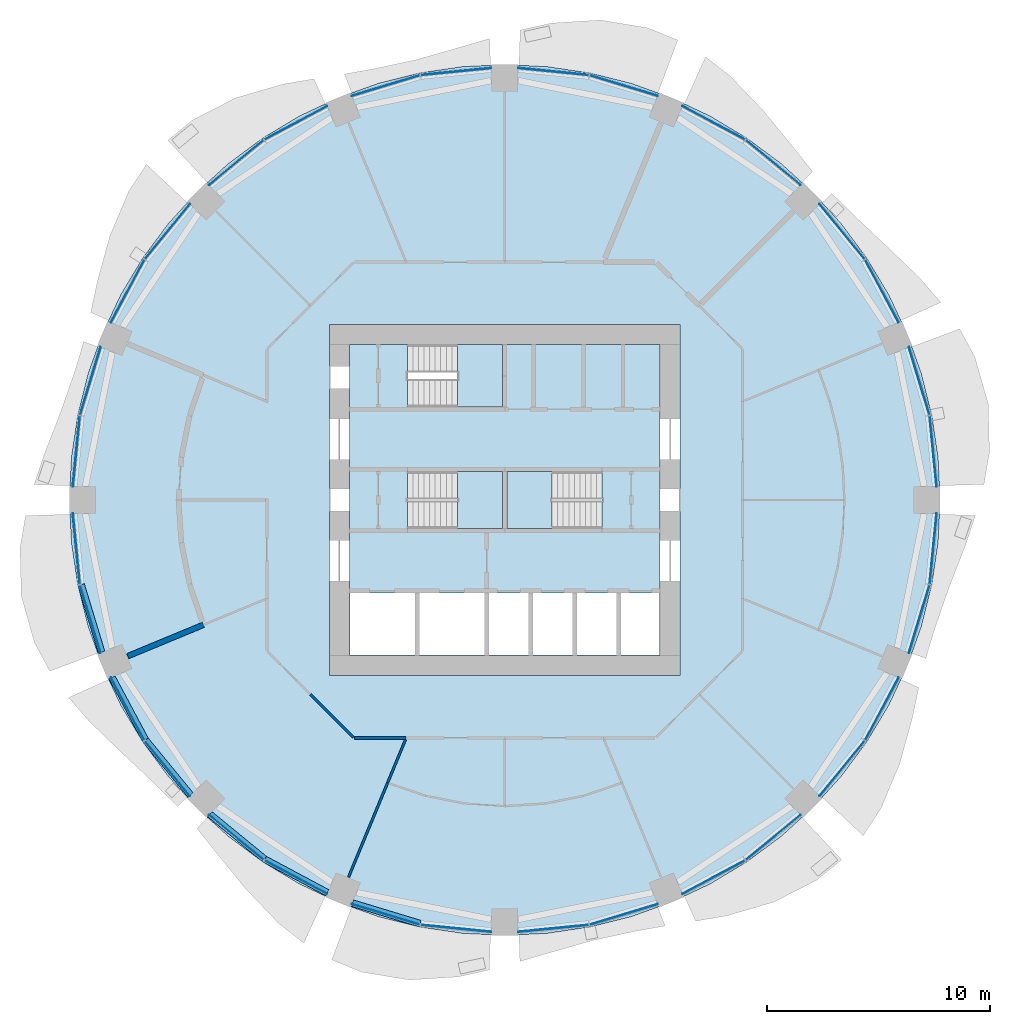
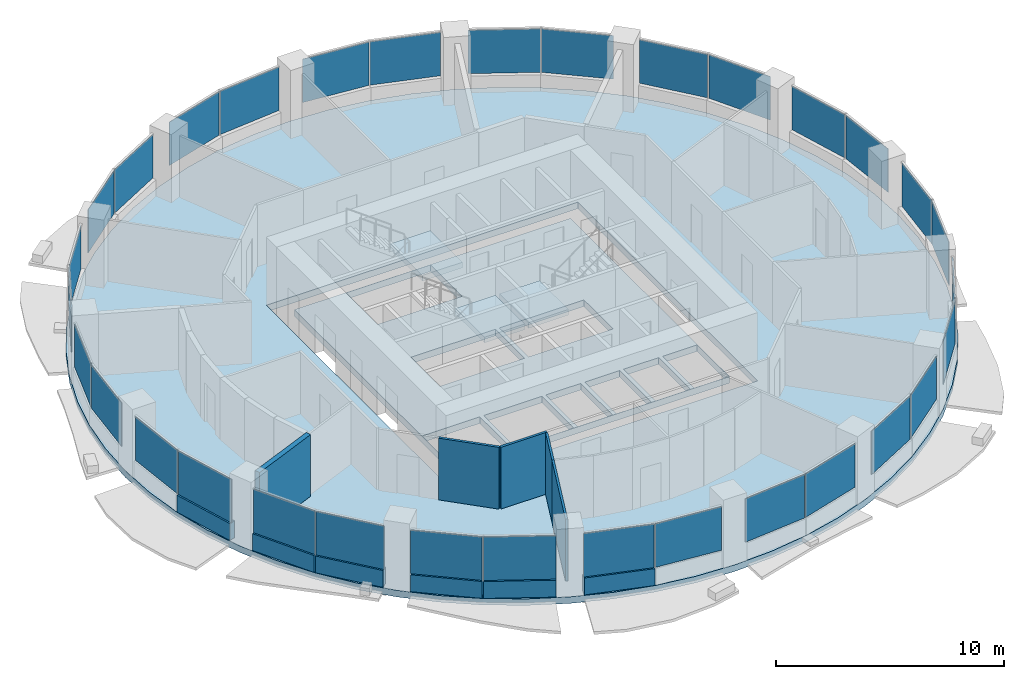
# One storey, part 7 of 15: 32 plates, 11 walls, 5 slabs, 19 elements without a shape of their own.
"""IFC4 building model written with IfcOpenShell, lengths in metres."""

from ifc_helpers import new_model, si_unit, direction, frame, frame_2d, origin, origin_2d, place, context, subcontext, project, spatial, polyline, rectangle, outline, extrude, material, layer, layer_set, type_object, element, aggregate, save


model = new_model("IFC4")

# Units and contexts
model_context = context("Model", 3, precision=1e-05, world=origin(), true_north=direction((0.0, 1.0)))
body_context = subcontext(model_context, "Body", "Model", "MODEL_VIEW")
ifc_project = project(units=[si_unit("LENGTHUNIT", "METRE"), si_unit("AREAUNIT", "SQUARE_METRE"), si_unit("VOLUMEUNIT", "CUBIC_METRE"), si_unit("PLANEANGLEUNIT", "RADIAN"), si_unit("MASSUNIT", "GRAM", prefix="KILO")], contexts=[model_context])

# Site, building, storey
site_placement = place(None, origin())
site = spatial("IfcSite", under=ifc_project, at=site_placement, CompositionType="ELEMENT")
building_placement = place(site_placement, origin())
building = spatial("IfcBuilding", under=site, at=building_placement, Name="Polderwave Tower", CompositionType="ELEMENT")
storey_placement = place(building_placement, frame((0.0, 0.0, 59.050048828125)))
storey = spatial("IfcBuildingStorey", under=building, at=storey_placement, Name="L15", CompositionType="ELEMENT", Elevation=59.050048828125)

# Slab
ifc_material_1 = material(Name="Concrete C40/50", Category="concrete")
ifc_layer_1 = layer(ifc_material_1, 0.35009765625)
ifc_layer_set_1 = layer_set([ifc_layer_1], Name="Core floor slab 350")
slab_type_1 = type_object("IfcSlabType", Name="Core floor slab 350", PredefinedType="FLOOR", material=ifc_layer_set_1)
slab_1_placement = place(storey_placement, frame((0.0, 0.0, -0.35009765625)))
element("IfcSlab", 1, at=slab_1_placement, inside=storey, type_object=slab_type_1, Name="L15 core floor", PredefinedType="FLOOR", context=body_context, shape_type="SweptSolid", body=[
    extrude(outline(polyline([(-6.97412109375, -6.97412109375), (6.97412109375, -6.97412109375), (6.97412109375, 6.97412109375), (-6.97412109375, 6.97412109375), (-6.97412109375, -6.97412109375)]), holes=[polyline([(-6.9541015625, -6.9541015625), (-4.037109375, -6.9541015625), (-4.037109375, -4.174072265625), (-6.9541015625, -4.174072265625), (-6.9541015625, -6.9541015625)]), polyline([(-3.8369140625, -6.9541015625), (-0.89990234375, -6.9541015625), (-0.89990234375, -4.174072265625), (-3.8369140625, -4.174072265625), (-3.8369140625, -6.9541015625)]), polyline([(-0.699951171875, -6.9541015625), (1.068603515625, -6.9541015625), (1.068603515625, -4.174072265625), (-0.699951171875, -4.174072265625), (-0.699951171875, -6.9541015625)]), polyline([(1.2685546875, -6.9541015625), (3.037109375, -6.9541015625), (3.037109375, -4.174072265625), (1.2685546875, -4.174072265625), (1.2685546875, -6.9541015625)]), polyline([(3.237060546875, -6.9541015625), (5.005615234375, -6.9541015625), (5.005615234375, -4.174072265625), (3.237060546875, -4.174072265625), (3.237060546875, -6.9541015625)]), polyline([(5.20556640625, -6.9541015625), (6.9541015625, -6.9541015625), (6.9541015625, -4.174072265625), (5.20556640625, -4.174072265625), (5.20556640625, -6.9541015625)]), polyline([(-4.37353515625, -1.2744140625), (-0.1005859375, -1.2744140625), (-0.1005859375, 1.2744140625), (-4.37353515625, 1.2744140625), (-4.37353515625, -1.2744140625)]), polyline([(0.1005859375, -1.2744140625), (4.37353515625, -1.2744140625), (4.37353515625, 1.2744140625), (0.1005859375, 1.2744140625), (0.1005859375, -1.2744140625)]), polyline([(-4.37353515625, 4.174560546875), (-0.1005859375, 4.174560546875), (-0.1005859375, 6.9541015625), (-4.37353515625, 6.9541015625), (-4.37353515625, 4.174560546875)])]), origin(), (0.0, 0.0, 1.0), 0.35009765625),
])

# Curtain wall, plates
ifc_material_2 = material(Name="Aluminium 6063-T6 and glass", Category="aluminium")
curtain_wall_type = type_object("IfcCurtainWallType", Name="Growing floor ribbon glazing wall", PredefinedType="NOTDEFINED", material=ifc_material_2)
curtain_wall_1_placement = place(storey_placement, origin())
curtain_wall_1 = element("IfcCurtainWall", 2, at=curtain_wall_1_placement, inside=storey, type_object=curtain_wall_type, Name="CW2 L15 00", PredefinedType="NOTDEFINED")
ifc_material_3 = material(Name="Glass, low-e laminated double glazing", Category="glass")
ifc_layer_2 = layer(ifc_material_3, 0.028076171875)
ifc_layer_set_2 = layer_set([ifc_layer_2], Name="Growing floor ribbon glazing glass panel 28 mm")
plate_type = type_object("IfcPlateType", Name="Growing floor ribbon glazing glass panel 28 mm", PredefinedType="CURTAIN_PANEL", material=ifc_layer_set_2)
plate_1_placement = place(storey_placement, frame((19.22509765625, 2.181640625, 0.89990234375), z_axis=(0.0, 0.0, 1.0), x_axis=(-0.098176936167, 0.995168975202, 0.0)))
plate_1 = element("IfcPlate", 3, at=plate_1_placement, type_object=plate_type, Name="CW2 panel 1", PredefinedType="CURTAIN_PANEL", context=body_context, shape_type="SweptSolid", body=[
    extrude(rectangle(XDim=3.178466796875, YDim=0.028076171875, at=origin_2d()), origin(), (0.0, 0.0, 1.0), 2.320068359375),
])
plate_2_placement = place(storey_placement, frame((18.59619140625, 5.341796875, 0.89990234375), z_axis=(0.0, 0.0, 1.0), x_axis=(-0.290293028123, 0.956937802484, 0.0)))
plate_2 = element("IfcPlate", 4, at=plate_2_placement, type_object=plate_type, Name="CW2 panel 2", PredefinedType="CURTAIN_PANEL", context=body_context, shape_type="SweptSolid", body=[
    extrude(rectangle(XDim=3.177001953125, YDim=0.028076171875, at=origin_2d()), origin(), (0.0, 0.0, 1.0), 2.320068359375),
])
aggregate(curtain_wall_1, [plate_1, plate_2])

curtain_wall_2_placement = place(storey_placement, origin())
curtain_wall_2 = element("IfcCurtainWall", 5, at=curtain_wall_2_placement, inside=storey, type_object=curtain_wall_type, Name="CW2 L15 01", PredefinedType="NOTDEFINED")
plate_3_placement = place(storey_placement, frame((16.927001953125, 9.372314453125, 0.89990234375), z_axis=(0.0, 0.0, 1.0), x_axis=(-0.471364412407, 0.881938541349, 0.0)))
plate_3 = element("IfcPlate", 6, at=plate_3_placement, type_object=plate_type, Name="CW2 panel 1", PredefinedType="CURTAIN_PANEL", context=body_context, shape_type="SweptSolid", body=[
    extrude(rectangle(XDim=3.177734375, YDim=0.028076171875, at=origin_2d()), origin(), (0.0, 0.0, 1.0), 2.320068359375),
])
plate_4_placement = place(storey_placement, frame((15.136962890625, 12.051513671875, 0.89990234375), z_axis=(0.0, 0.0, 1.0), x_axis=(-0.634340665542, 0.773053633353, 0.0)))
plate_4 = element("IfcPlate", 7, at=plate_4_placement, type_object=plate_type, Name="CW2 panel 2", PredefinedType="CURTAIN_PANEL", context=body_context, shape_type="SweptSolid", body=[
    extrude(rectangle(XDim=3.177978515625, YDim=0.028076171875, at=origin_2d()), origin(), (0.0, 0.0, 1.0), 2.320068359375),
])
aggregate(curtain_wall_2, [plate_3, plate_4])

curtain_wall_3_placement = place(storey_placement, origin())
curtain_wall_3 = element("IfcCurtainWall", 8, at=curtain_wall_3_placement, inside=storey, type_object=curtain_wall_type, Name="CW2 L15 02", PredefinedType="NOTDEFINED")
plate_5_placement = place(storey_placement, frame((12.051513671875, 15.136962890625, 0.89990234375), z_axis=(0.0, 0.0, 1.0), x_axis=(-0.773053633353, 0.634340665542, 0.0)))
plate_5 = element("IfcPlate", 9, at=plate_5_placement, type_object=plate_type, Name="CW2 panel 1", PredefinedType="CURTAIN_PANEL", context=body_context, shape_type="SweptSolid", body=[
    extrude(rectangle(XDim=3.177978515625, YDim=0.028076171875, at=origin_2d()), origin(), (0.0, 0.0, 1.0), 2.320068359375),
])
plate_6_placement = place(storey_placement, frame((9.372314453125, 16.927001953125, 0.89990234375), z_axis=(0.0, 0.0, 1.0), x_axis=(-0.881938541349, 0.471364412407, 0.0)))
plate_6 = element("IfcPlate", 10, at=plate_6_placement, type_object=plate_type, Name="CW2 panel 2", PredefinedType="CURTAIN_PANEL", context=body_context, shape_type="SweptSolid", body=[
    extrude(rectangle(XDim=3.177734375, YDim=0.028076171875, at=origin_2d()), origin(), (0.0, 0.0, 1.0), 2.320068359375),
])
aggregate(curtain_wall_3, [plate_5, plate_6])

curtain_wall_4_placement = place(storey_placement, origin())
curtain_wall_4 = element("IfcCurtainWall", 11, at=curtain_wall_4_placement, inside=storey, type_object=curtain_wall_type, Name="CW2 L15 03", PredefinedType="NOTDEFINED")
plate_7_placement = place(storey_placement, frame((5.341796875, 18.59619140625, 0.89990234375), z_axis=(0.0, 0.0, 1.0), x_axis=(-0.956937802484, 0.290293028123, 0.0)))
plate_7 = element("IfcPlate", 12, at=plate_7_placement, type_object=plate_type, Name="CW2 panel 1", PredefinedType="CURTAIN_PANEL", context=body_context, shape_type="SweptSolid", body=[
    extrude(rectangle(XDim=3.177001953125, YDim=0.028076171875, at=origin_2d()), origin(), (0.0, 0.0, 1.0), 2.320068359375),
])
plate_8_placement = place(storey_placement, frame((2.181640625, 19.22509765625, 0.89990234375), z_axis=(0.0, 0.0, 1.0), x_axis=(-0.995168975202, 0.098176936167, 0.0)))
plate_8 = element("IfcPlate", 13, at=plate_8_placement, type_object=plate_type, Name="CW2 panel 2", PredefinedType="CURTAIN_PANEL", context=body_context, shape_type="SweptSolid", body=[
    extrude(rectangle(XDim=3.178466796875, YDim=0.028076171875, at=origin_2d()), origin(), (0.0, 0.0, 1.0), 2.320068359375),
])
aggregate(curtain_wall_4, [plate_7, plate_8])

curtain_wall_5_placement = place(storey_placement, origin())
curtain_wall_5 = element("IfcCurtainWall", 14, at=curtain_wall_5_placement, inside=storey, type_object=curtain_wall_type, Name="CW2 L15 04", PredefinedType="NOTDEFINED")
plate_9_placement = place(storey_placement, frame((-2.181640625, 19.22509765625, 0.89990234375), z_axis=(0.0, 0.0, 1.0), x_axis=(-0.995168975202, -0.098176936167, 0.0)))
plate_9 = element("IfcPlate", 15, at=plate_9_placement, type_object=plate_type, Name="CW2 panel 1", PredefinedType="CURTAIN_PANEL", context=body_context, shape_type="SweptSolid", body=[
    extrude(rectangle(XDim=3.178466796875, YDim=0.028076171875, at=origin_2d()), origin(), (0.0, 0.0, 1.0), 2.320068359375),
])
plate_10_placement = place(storey_placement, frame((-5.341796875, 18.59619140625, 0.89990234375), z_axis=(0.0, 0.0, 1.0), x_axis=(-0.956937802484, -0.290293028123, 0.0)))
plate_10 = element("IfcPlate", 16, at=plate_10_placement, type_object=plate_type, Name="CW2 panel 2", PredefinedType="CURTAIN_PANEL", context=body_context, shape_type="SweptSolid", body=[
    extrude(rectangle(XDim=3.177001953125, YDim=0.028076171875, at=origin_2d()), origin(), (0.0, 0.0, 1.0), 2.320068359375),
])
aggregate(curtain_wall_5, [plate_9, plate_10])

curtain_wall_6_placement = place(storey_placement, origin())
curtain_wall_6 = element("IfcCurtainWall", 17, at=curtain_wall_6_placement, inside=storey, type_object=curtain_wall_type, Name="CW2 L15 05", PredefinedType="NOTDEFINED")
plate_11_placement = place(storey_placement, frame((-9.372314453125, 16.927001953125, 0.89990234375), z_axis=(0.0, 0.0, 1.0), x_axis=(-0.881938541349, -0.471364412407, 0.0)))
plate_11 = element("IfcPlate", 18, at=plate_11_placement, type_object=plate_type, Name="CW2 panel 1", PredefinedType="CURTAIN_PANEL", context=body_context, shape_type="SweptSolid", body=[
    extrude(rectangle(XDim=3.177734375, YDim=0.028076171875, at=origin_2d()), origin(), (0.0, 0.0, 1.0), 2.320068359375),
])
plate_12_placement = place(storey_placement, frame((-12.051513671875, 15.136962890625, 0.89990234375), z_axis=(0.0, 0.0, 1.0), x_axis=(-0.773053633353, -0.634340665542, 0.0)))
plate_12 = element("IfcPlate", 19, at=plate_12_placement, type_object=plate_type, Name="CW2 panel 2", PredefinedType="CURTAIN_PANEL", context=body_context, shape_type="SweptSolid", body=[
    extrude(rectangle(XDim=3.177978515625, YDim=0.028076171875, at=origin_2d()), origin(), (0.0, 0.0, 1.0), 2.320068359375),
])
aggregate(curtain_wall_6, [plate_11, plate_12])

curtain_wall_7_placement = place(storey_placement, origin())
curtain_wall_7 = element("IfcCurtainWall", 20, at=curtain_wall_7_placement, inside=storey, type_object=curtain_wall_type, Name="CW2 L15 06", PredefinedType="NOTDEFINED")
plate_13_placement = place(storey_placement, frame((-15.136962890625, 12.051513671875, 0.89990234375), z_axis=(0.0, 0.0, 1.0), x_axis=(-0.634340665542, -0.773053633353, 0.0)))
plate_13 = element("IfcPlate", 21, at=plate_13_placement, type_object=plate_type, Name="CW2 panel 1", PredefinedType="CURTAIN_PANEL", context=body_context, shape_type="SweptSolid", body=[
    extrude(rectangle(XDim=3.177978515625, YDim=0.028076171875, at=origin_2d()), origin(), (0.0, 0.0, 1.0), 2.320068359375),
])
plate_14_placement = place(storey_placement, frame((-16.927001953125, 9.372314453125, 0.89990234375), z_axis=(0.0, 0.0, 1.0), x_axis=(-0.471364412407, -0.881938541349, 0.0)))
plate_14 = element("IfcPlate", 22, at=plate_14_placement, type_object=plate_type, Name="CW2 panel 2", PredefinedType="CURTAIN_PANEL", context=body_context, shape_type="SweptSolid", body=[
    extrude(rectangle(XDim=3.177734375, YDim=0.028076171875, at=origin_2d()), origin(), (0.0, 0.0, 1.0), 2.320068359375),
])
aggregate(curtain_wall_7, [plate_13, plate_14])

curtain_wall_8_placement = place(storey_placement, origin())
curtain_wall_8 = element("IfcCurtainWall", 23, at=curtain_wall_8_placement, inside=storey, type_object=curtain_wall_type, Name="CW2 L15 07", PredefinedType="NOTDEFINED")
plate_15_placement = place(storey_placement, frame((-18.59619140625, 5.341796875, 0.89990234375), z_axis=(0.0, 0.0, 1.0), x_axis=(-0.290293028123, -0.956937802484, 0.0)))
plate_15 = element("IfcPlate", 24, at=plate_15_placement, type_object=plate_type, Name="CW2 panel 1", PredefinedType="CURTAIN_PANEL", context=body_context, shape_type="SweptSolid", body=[
    extrude(rectangle(XDim=3.177001953125, YDim=0.028076171875, at=origin_2d()), origin(), (0.0, 0.0, 1.0), 2.320068359375),
])
plate_16_placement = place(storey_placement, frame((-19.22509765625, 2.181640625, 0.89990234375), z_axis=(0.0, 0.0, 1.0), x_axis=(-0.098176936167, -0.995168975202, 0.0)))
plate_16 = element("IfcPlate", 25, at=plate_16_placement, type_object=plate_type, Name="CW2 panel 2", PredefinedType="CURTAIN_PANEL", context=body_context, shape_type="SweptSolid", body=[
    extrude(rectangle(XDim=3.178466796875, YDim=0.028076171875, at=origin_2d()), origin(), (0.0, 0.0, 1.0), 2.320068359375),
])
aggregate(curtain_wall_8, [plate_15, plate_16])

curtain_wall_9_placement = place(storey_placement, origin())
curtain_wall_9 = element("IfcCurtainWall", 26, at=curtain_wall_9_placement, inside=storey, type_object=curtain_wall_type, Name="CW2 L15 08", PredefinedType="NOTDEFINED")
plate_17_placement = place(storey_placement, frame((-19.22509765625, -2.181640625, 0.89990234375), z_axis=(0.0, 0.0, 1.0), x_axis=(0.098176936167, -0.995168975202, 0.0)))
plate_17 = element("IfcPlate", 27, at=plate_17_placement, type_object=plate_type, Name="CW2 panel 1", PredefinedType="CURTAIN_PANEL", context=body_context, shape_type="SweptSolid", body=[
    extrude(rectangle(XDim=3.178466796875, YDim=0.028076171875, at=origin_2d()), origin(), (0.0, 0.0, 1.0), 2.320068359375),
])
plate_18_placement = place(storey_placement, frame((-18.59619140625, -5.341796875, 0.89990234375), z_axis=(0.0, 0.0, 1.0), x_axis=(0.290293028123, -0.956937802484, 0.0)))
plate_18 = element("IfcPlate", 28, at=plate_18_placement, type_object=plate_type, Name="CW2 panel 2", PredefinedType="CURTAIN_PANEL", context=body_context, shape_type="SweptSolid", body=[
    extrude(rectangle(XDim=3.177001953125, YDim=0.028076171875, at=origin_2d()), origin(), (0.0, 0.0, 1.0), 2.320068359375),
])
aggregate(curtain_wall_9, [plate_17, plate_18])

curtain_wall_10_placement = place(storey_placement, origin())
curtain_wall_10 = element("IfcCurtainWall", 29, at=curtain_wall_10_placement, inside=storey, type_object=curtain_wall_type, Name="CW2 L15 09", PredefinedType="NOTDEFINED")
plate_19_placement = place(storey_placement, frame((-16.927001953125, -9.372314453125, 0.89990234375), z_axis=(0.0, 0.0, 1.0), x_axis=(0.471364412407, -0.881938541349, 0.0)))
plate_19 = element("IfcPlate", 30, at=plate_19_placement, type_object=plate_type, Name="CW2 panel 1", PredefinedType="CURTAIN_PANEL", context=body_context, shape_type="SweptSolid", body=[
    extrude(rectangle(XDim=3.177734375, YDim=0.028076171875, at=origin_2d()), origin(), (0.0, 0.0, 1.0), 2.320068359375),
])
plate_20_placement = place(storey_placement, frame((-15.136962890625, -12.051513671875, 0.89990234375), z_axis=(0.0, 0.0, 1.0), x_axis=(0.634340665542, -0.773053633353, 0.0)))
plate_20 = element("IfcPlate", 31, at=plate_20_placement, type_object=plate_type, Name="CW2 panel 2", PredefinedType="CURTAIN_PANEL", context=body_context, shape_type="SweptSolid", body=[
    extrude(rectangle(XDim=3.177978515625, YDim=0.028076171875, at=origin_2d()), origin(), (0.0, 0.0, 1.0), 2.320068359375),
])
aggregate(curtain_wall_10, [plate_19, plate_20])

curtain_wall_11_placement = place(storey_placement, origin())
curtain_wall_11 = element("IfcCurtainWall", 32, at=curtain_wall_11_placement, inside=storey, type_object=curtain_wall_type, Name="CW2 L15 10", PredefinedType="NOTDEFINED")
plate_21_placement = place(storey_placement, frame((-12.051513671875, -15.136962890625, 0.89990234375), z_axis=(0.0, 0.0, 1.0), x_axis=(0.773053633353, -0.634340665542, 0.0)))
plate_21 = element("IfcPlate", 33, at=plate_21_placement, type_object=plate_type, Name="CW2 panel 1", PredefinedType="CURTAIN_PANEL", context=body_context, shape_type="SweptSolid", body=[
    extrude(rectangle(XDim=3.177978515625, YDim=0.028076171875, at=origin_2d()), origin(), (0.0, 0.0, 1.0), 2.320068359375),
])
plate_22_placement = place(storey_placement, frame((-9.372314453125, -16.927001953125, 0.89990234375), z_axis=(0.0, 0.0, 1.0), x_axis=(0.881938541349, -0.471364412407, 0.0)))
plate_22 = element("IfcPlate", 34, at=plate_22_placement, type_object=plate_type, Name="CW2 panel 2", PredefinedType="CURTAIN_PANEL", context=body_context, shape_type="SweptSolid", body=[
    extrude(rectangle(XDim=3.177734375, YDim=0.028076171875, at=origin_2d()), origin(), (0.0, 0.0, 1.0), 2.320068359375),
])
aggregate(curtain_wall_11, [plate_21, plate_22])

curtain_wall_12_placement = place(storey_placement, origin())
curtain_wall_12 = element("IfcCurtainWall", 35, at=curtain_wall_12_placement, inside=storey, type_object=curtain_wall_type, Name="CW2 L15 11", PredefinedType="NOTDEFINED")
plate_23_placement = place(storey_placement, frame((-5.341796875, -18.59619140625, 0.89990234375), z_axis=(0.0, 0.0, 1.0), x_axis=(0.956937802484, -0.290293028123, 0.0)))
plate_23 = element("IfcPlate", 36, at=plate_23_placement, type_object=plate_type, Name="CW2 panel 1", PredefinedType="CURTAIN_PANEL", context=body_context, shape_type="SweptSolid", body=[
    extrude(rectangle(XDim=3.177001953125, YDim=0.028076171875, at=origin_2d()), origin(), (0.0, 0.0, 1.0), 2.320068359375),
])
plate_24_placement = place(storey_placement, frame((-2.181640625, -19.22509765625, 0.89990234375), z_axis=(0.0, 0.0, 1.0), x_axis=(0.995168975202, -0.098176936167, 0.0)))
plate_24 = element("IfcPlate", 37, at=plate_24_placement, type_object=plate_type, Name="CW2 panel 2", PredefinedType="CURTAIN_PANEL", context=body_context, shape_type="SweptSolid", body=[
    extrude(rectangle(XDim=3.178466796875, YDim=0.028076171875, at=origin_2d()), origin(), (0.0, 0.0, 1.0), 2.320068359375),
])
aggregate(curtain_wall_12, [plate_23, plate_24])

curtain_wall_13_placement = place(storey_placement, origin())
curtain_wall_13 = element("IfcCurtainWall", 38, at=curtain_wall_13_placement, inside=storey, type_object=curtain_wall_type, Name="CW2 L15 12", PredefinedType="NOTDEFINED")
plate_25_placement = place(storey_placement, frame((2.181640625, -19.22509765625, 0.89990234375), z_axis=(0.0, 0.0, 1.0), x_axis=(0.995168975202, 0.098176936167, 0.0)))
plate_25 = element("IfcPlate", 39, at=plate_25_placement, type_object=plate_type, Name="CW2 panel 1", PredefinedType="CURTAIN_PANEL", context=body_context, shape_type="SweptSolid", body=[
    extrude(rectangle(XDim=3.178466796875, YDim=0.028076171875, at=origin_2d()), origin(), (0.0, 0.0, 1.0), 2.320068359375),
])
plate_26_placement = place(storey_placement, frame((5.341796875, -18.59619140625, 0.89990234375), z_axis=(0.0, 0.0, 1.0), x_axis=(0.956937802484, 0.290293028123, 0.0)))
plate_26 = element("IfcPlate", 40, at=plate_26_placement, type_object=plate_type, Name="CW2 panel 2", PredefinedType="CURTAIN_PANEL", context=body_context, shape_type="SweptSolid", body=[
    extrude(rectangle(XDim=3.177001953125, YDim=0.028076171875, at=origin_2d()), origin(), (0.0, 0.0, 1.0), 2.320068359375),
])
aggregate(curtain_wall_13, [plate_25, plate_26])

curtain_wall_14_placement = place(storey_placement, origin())
curtain_wall_14 = element("IfcCurtainWall", 41, at=curtain_wall_14_placement, inside=storey, type_object=curtain_wall_type, Name="CW2 L15 13", PredefinedType="NOTDEFINED")
plate_27_placement = place(storey_placement, frame((9.372314453125, -16.927001953125, 0.89990234375), z_axis=(0.0, 0.0, 1.0), x_axis=(0.881938541349, 0.471364412407, 0.0)))
plate_27 = element("IfcPlate", 42, at=plate_27_placement, type_object=plate_type, Name="CW2 panel 1", PredefinedType="CURTAIN_PANEL", context=body_context, shape_type="SweptSolid", body=[
    extrude(rectangle(XDim=3.177734375, YDim=0.028076171875, at=origin_2d()), origin(), (0.0, 0.0, 1.0), 2.320068359375),
])
plate_28_placement = place(storey_placement, frame((12.051513671875, -15.136962890625, 0.89990234375), z_axis=(0.0, 0.0, 1.0), x_axis=(0.773053633353, 0.634340665542, 0.0)))
plate_28 = element("IfcPlate", 43, at=plate_28_placement, type_object=plate_type, Name="CW2 panel 2", PredefinedType="CURTAIN_PANEL", context=body_context, shape_type="SweptSolid", body=[
    extrude(rectangle(XDim=3.177978515625, YDim=0.028076171875, at=origin_2d()), origin(), (0.0, 0.0, 1.0), 2.320068359375),
])
aggregate(curtain_wall_14, [plate_27, plate_28])

curtain_wall_15_placement = place(storey_placement, origin())
curtain_wall_15 = element("IfcCurtainWall", 44, at=curtain_wall_15_placement, inside=storey, type_object=curtain_wall_type, Name="CW2 L15 14", PredefinedType="NOTDEFINED")
plate_29_placement = place(storey_placement, frame((15.136962890625, -12.051513671875, 0.89990234375), z_axis=(0.0, 0.0, 1.0), x_axis=(0.634340665542, 0.773053633353, 0.0)))
plate_29 = element("IfcPlate", 45, at=plate_29_placement, type_object=plate_type, Name="CW2 panel 1", PredefinedType="CURTAIN_PANEL", context=body_context, shape_type="SweptSolid", body=[
    extrude(rectangle(XDim=3.177978515625, YDim=0.028076171875, at=origin_2d()), origin(), (0.0, 0.0, 1.0), 2.320068359375),
])
plate_30_placement = place(storey_placement, frame((16.927001953125, -9.372314453125, 0.89990234375), z_axis=(0.0, 0.0, 1.0), x_axis=(0.471364412407, 0.881938541349, 0.0)))
plate_30 = element("IfcPlate", 46, at=plate_30_placement, type_object=plate_type, Name="CW2 panel 2", PredefinedType="CURTAIN_PANEL", context=body_context, shape_type="SweptSolid", body=[
    extrude(rectangle(XDim=3.177734375, YDim=0.028076171875, at=origin_2d()), origin(), (0.0, 0.0, 1.0), 2.320068359375),
])
aggregate(curtain_wall_15, [plate_29, plate_30])

curtain_wall_16_placement = place(storey_placement, origin())
curtain_wall_16 = element("IfcCurtainWall", 47, at=curtain_wall_16_placement, inside=storey, type_object=curtain_wall_type, Name="CW2 L15 15", PredefinedType="NOTDEFINED")
plate_31_placement = place(storey_placement, frame((18.59619140625, -5.341796875, 0.89990234375), z_axis=(0.0, 0.0, 1.0), x_axis=(0.290293028123, 0.956937802484, 0.0)))
plate_31 = element("IfcPlate", 48, at=plate_31_placement, type_object=plate_type, Name="CW2 panel 1", PredefinedType="CURTAIN_PANEL", context=body_context, shape_type="SweptSolid", body=[
    extrude(rectangle(XDim=3.177001953125, YDim=0.028076171875, at=origin_2d()), origin(), (0.0, 0.0, 1.0), 2.320068359375),
])
plate_32_placement = place(storey_placement, frame((19.22509765625, -2.181640625, 0.89990234375), z_axis=(0.0, 0.0, 1.0), x_axis=(0.098176936167, 0.995168975202, 0.0)))
plate_32 = element("IfcPlate", 49, at=plate_32_placement, type_object=plate_type, Name="CW2 panel 2", PredefinedType="CURTAIN_PANEL", context=body_context, shape_type="SweptSolid", body=[
    extrude(rectangle(XDim=3.178466796875, YDim=0.028076171875, at=origin_2d()), origin(), (0.0, 0.0, 1.0), 2.320068359375),
])
aggregate(curtain_wall_16, [plate_31, plate_32])

# Slab
ifc_layer_3 = layer(ifc_material_1, 0.35009765625)
ifc_layer_set_3 = layer_set([ifc_layer_3], Name="PT FLOOR SLAB 350 C40/50")
slab_type_2 = type_object("IfcSlabType", Name="PT FLOOR SLAB 350 C40/50", PredefinedType="FLOOR", material=ifc_layer_set_3)
slab_2_placement = place(storey_placement, frame((0.0, 0.0, -0.35009765625)))
element("IfcSlab", 50, at=slab_2_placement, inside=storey, type_object=slab_type_2, Name="ST-SLAB-L15", PredefinedType="FLOOR", context=body_context, shape_type="SweptSolid", body=[
    extrude(outline(polyline([(19.5400390625, 0.0), (19.44580078125, 1.915283203125), (19.16455078125, 3.81201171875), (18.698486328125, 5.672119140625), (18.052490234375, 7.4775390625), (17.232666015625, 9.211181640625), (16.246826171875, 10.855712890625), (15.1044921875, 12.39599609375), (13.81689453125, 13.81689453125), (12.39599609375, 15.1044921875), (10.855712890625, 16.246826171875), (9.211181640625, 17.232666015625), (7.4775390625, 18.052490234375), (5.672119140625, 18.698486328125), (3.81201171875, 19.16455078125), (1.915283203125, 19.44580078125), (0.0, 19.5400390625), (-1.915283203125, 19.44580078125), (-3.81201171875, 19.16455078125), (-5.672119140625, 18.698486328125), (-7.4775390625, 18.052490234375), (-9.211181640625, 17.232666015625), (-10.855712890625, 16.246826171875), (-12.39599609375, 15.1044921875), (-13.81689453125, 13.81689453125), (-15.1044921875, 12.39599609375), (-16.246826171875, 10.855712890625), (-17.232666015625, 9.211181640625), (-18.052490234375, 7.4775390625), (-18.698486328125, 5.672119140625), (-19.16455078125, 3.81201171875), (-19.44580078125, 1.915283203125), (-19.5400390625, 0.0), (-19.44580078125, -1.915283203125), (-19.16455078125, -3.81201171875), (-18.698486328125, -5.672119140625), (-18.052490234375, -7.4775390625), (-17.232666015625, -9.211181640625), (-16.246826171875, -10.855712890625), (-15.1044921875, -12.39599609375), (-13.81689453125, -13.81689453125), (-12.39599609375, -15.1044921875), (-10.855712890625, -16.246826171875), (-9.211181640625, -17.232666015625), (-7.4775390625, -18.052490234375), (-5.672119140625, -18.698486328125), (-3.81201171875, -19.16455078125), (-1.915283203125, -19.44580078125), (0.0, -19.5400390625), (1.915283203125, -19.44580078125), (3.81201171875, -19.16455078125), (5.672119140625, -18.698486328125), (7.4775390625, -18.052490234375), (9.211181640625, -17.232666015625), (10.855712890625, -16.246826171875), (12.39599609375, -15.1044921875), (13.81689453125, -13.81689453125), (15.1044921875, -12.39599609375), (16.246826171875, -10.855712890625), (17.232666015625, -9.211181640625), (18.052490234375, -7.4775390625), (18.698486328125, -5.672119140625), (19.16455078125, -3.81201171875), (19.44580078125, -1.915283203125), (19.5400390625, 0.0)]), holes=[polyline([(-7.8740234375, -7.8740234375), (7.8740234375, -7.8740234375), (7.8740234375, 7.8740234375), (-7.8740234375, 7.8740234375), (-7.8740234375, -7.8740234375)])]), origin(), (0.0, 0.0, 1.0), 0.35009765625),
])

# Stair, slab
stair_type = type_object("IfcStairType", Name="Exit stair 1200 x 20 risers", PredefinedType="HALF_TURN_STAIR", material=ifc_material_1)
stair_1_placement = place(storey_placement, origin())
stair_1 = element("IfcStair", 51, at=stair_1_placement, inside=storey, type_object=stair_type, Name="L15 Exit stair A", PredefinedType="HALF_TURN_STAIR")
ifc_layer_4 = layer(ifc_material_1, 0.300048828125)
ifc_layer_set_4 = layer_set([ifc_layer_4], Name="Stair landing 300")
slab_type_3 = type_object("IfcSlabType", Name="Stair landing 300", PredefinedType="LANDING", material=ifc_layer_set_4)
slab_3_placement = place(storey_placement, frame((0.0, 0.0, 1.52490234375)))
slab_3 = element("IfcSlab", 52, at=slab_3_placement, type_object=slab_type_3, Name="ST-A landing 1", PredefinedType="LANDING", context=body_context, shape_type="SweptSolid", body=[
    extrude(outline(polyline([(-2.1240234375, -1.27490234375), (-0.10009765625, -1.27490234375), (-0.10009765625, 1.27490234375), (-2.1240234375, 1.27490234375), (-2.1240234375, -1.27490234375)])), origin(), (0.0, 0.0, 1.0), 0.300048828125),
])
aggregate(stair_1, [slab_3])

stair_2_placement = place(storey_placement, origin())
stair_2 = element("IfcStair", 53, at=stair_2_placement, inside=storey, type_object=stair_type, Name="L15 Exit stair B", PredefinedType="HALF_TURN_STAIR")
slab_4_placement = place(storey_placement, frame((0.0, 0.0, 1.52490234375)))
slab_4 = element("IfcSlab", 54, at=slab_4_placement, type_object=slab_type_3, Name="ST-B landing 1", PredefinedType="LANDING", context=body_context, shape_type="SweptSolid", body=[
    extrude(outline(polyline([(2.1240234375, 1.27490234375), (0.10009765625, 1.27490234375), (0.10009765625, -1.27490234375), (2.1240234375, -1.27490234375), (2.1240234375, 1.27490234375)])), origin(), (0.0, 0.0, 1.0), 0.300048828125),
])
aggregate(stair_2, [slab_4])

stair_3_placement = place(storey_placement, origin())
stair_3 = element("IfcStair", 55, at=stair_3_placement, inside=storey, type_object=stair_type, Name="L15 Exit stair C", PredefinedType="HALF_TURN_STAIR")
slab_5_placement = place(storey_placement, frame((0.0, 0.0, 1.52490234375)))
slab_5 = element("IfcSlab", 56, at=slab_5_placement, type_object=slab_type_3, Name="ST-C landing 1", PredefinedType="LANDING", context=body_context, shape_type="SweptSolid", body=[
    extrude(outline(polyline([(-2.1240234375, 4.174072265625), (-0.10009765625, 4.174072265625), (-0.10009765625, 6.97412109375), (-2.1240234375, 6.97412109375), (-2.1240234375, 4.174072265625)])), origin(), (0.0, 0.0, 1.0), 0.300048828125),
])
aggregate(stair_3, [slab_5])

# Walls
ifc_material_4 = material(Name="Concrete C50/60 (board-marked)", Category="concrete")
ifc_layer_5 = layer(ifc_material_4, 0.300048828125)
ifc_layer_set_5 = layer_set([ifc_layer_5], Name="Concrete spandrel upstand C50/60")
wall_type_1 = type_object("IfcWallType", Name="Concrete spandrel upstand C50/60", PredefinedType="SOLIDWALL", material=ifc_layer_set_5)
wall_1_placement = place(storey_placement, frame((-19.0126953125, -3.79736328125, 0.0), z_axis=(0.0, 0.0, 1.0), x_axis=(0.290456409527, -0.956888224489, 0.0)))
element("IfcWall", 57, at=wall_1_placement, inside=storey, type_object=wall_type_1, Name="Spandrel L15 9b", PredefinedType="SOLIDWALL", context=body_context, shape_type="SweptSolid", body=[
    extrude(rectangle(XDim=3.1689453125, YDim=0.300048828125, at=frame_2d((1.58447265625, 0.0))), origin(), (0.0, 0.0, 1.0), 0.89990234375),
])
wall_2_placement = place(storey_placement, frame((-17.622802734375, -7.963134765625, 0.0), z_axis=(0.0, 0.0, 1.0), x_axis=(0.47123575379, -0.882007292685, 0.0)))
element("IfcWall", 58, at=wall_2_placement, inside=storey, type_object=wall_type_1, Name="Spandrel L15 10a", PredefinedType="SOLIDWALL", context=body_context, shape_type="SweptSolid", body=[
    extrude(rectangle(XDim=3.169677734375, YDim=0.300048828125, at=frame_2d((1.5849609375, 0.0))), origin(), (0.0, 0.0, 1.0), 0.89990234375),
])
for number, where, z_axis, x_axis, name in (
    (59, (-16.112548828125, -10.78369140625, 0.0), (0.0, 0.0, 1.0), (0.634164330819, -0.773198293788, 0.0), "Spandrel L15 10b"),
    (60, (-13.234375, -14.1025390625, 0.0), (0.0, 0.0, 1.0), (0.773198293788, -0.634164330819, 0.0), "Spandrel L15 11a"),
):
    element("IfcWall", number, at=place(storey_placement, frame(where, z_axis=z_axis, x_axis=x_axis)), inside=storey, type_object=wall_type_1, Name=name, PredefinedType="SOLIDWALL", context=body_context, shape_type="SweptSolid", body=[
        extrude(rectangle(XDim=3.16943359375, YDim=0.300048828125, at=frame_2d((1.584716796875, 0.0))), origin(), (0.0, 0.0, 1.0), 0.89990234375),
    ])
wall_3_placement = place(storey_placement, frame((-10.7587890625, -16.129150390625, 0.0), z_axis=(0.0, 0.0, 1.0), x_axis=(0.882007292685, -0.47123575379, 0.0)))
element("IfcWall", 61, at=wall_3_placement, inside=storey, type_object=wall_type_1, Name="Spandrel L15 11b", PredefinedType="SOLIDWALL", context=body_context, shape_type="SweptSolid", body=[
    extrude(rectangle(XDim=3.169677734375, YDim=0.300048828125, at=frame_2d((1.5849609375, 0.0))), origin(), (0.0, 0.0, 1.0), 0.89990234375),
])
wall_4_placement = place(storey_placement, frame((-6.82958984375, -18.09228515625, 0.0), z_axis=(0.0, 0.0, 1.0), x_axis=(0.956888224489, -0.290456409527, 0.0)))
element("IfcWall", 62, at=wall_4_placement, inside=storey, type_object=wall_type_1, Name="Spandrel L15 12a", PredefinedType="SOLIDWALL", context=body_context, shape_type="SweptSolid", body=[
    extrude(rectangle(XDim=3.1689453125, YDim=0.300048828125, at=frame_2d((1.58447265625, 0.0))), origin(), (0.0, 0.0, 1.0), 0.89990234375),
])
ifc_material_5 = material(Name="Fire-resisting board on steel studs", Category="steel")
ifc_layer_6 = layer(ifc_material_5, 0.125)
ifc_layer_set_6 = layer_set([ifc_layer_6], Name="Corridor wall 125 mm EI 60")
wall_type_2 = type_object("IfcWallType", Name="Corridor wall 125 mm EI 60", PredefinedType="PARTITIONING", material=ifc_layer_set_6)
wall_5_placement = place(storey_placement, frame((-6.789306640625, -10.65576171875, 0.0), z_axis=(0.0, 0.0, 1.0), x_axis=(-0.707062130741, 0.707151428813, 0.0)))
element("IfcWall", 63, at=wall_5_placement, inside=storey, type_object=wall_type_2, Name="IN-L15-W018", PredefinedType="PARTITIONING", context=body_context, shape_type="SweptSolid", body=[
    extrude(rectangle(XDim=2.73388671875, YDim=0.125, at=frame_2d((1.366943359375, 0.0))), origin(), (0.0, 0.0, 1.0), 3.300048828125),
])
wall_6_placement = place(storey_placement, frame((-4.42138671875, -10.674072265625, 0.0), z_axis=(0.0, 0.0, 1.0), x_axis=(-1.0, 0.0, 0.0)))
element("IfcWall", 64, at=wall_6_placement, inside=storey, type_object=wall_type_2, Name="IN-L15-W019", PredefinedType="PARTITIONING", context=body_context, shape_type="SweptSolid", body=[
    extrude(rectangle(XDim=2.32373046875, YDim=0.125, at=frame_2d((1.161865234375, 0.0))), origin(), (0.0, 0.0, 1.0), 3.300048828125),
])
ifc_material_6 = material(Name="Moisture-resistant board on steel studs, tiled", Category="steel")
ifc_layer_7 = layer(ifc_material_6, 0.10498046875)
ifc_layer_set_7 = layer_set([ifc_layer_7], Name="Partition 105 mm wet room board and tile")
wall_type_3 = type_object("IfcWallType", Name="Partition 105 mm wet room board and tile", PredefinedType="PARTITIONING", material=ifc_layer_set_7)
wall_7_placement = place(storey_placement, frame((-4.45556640625, -10.756591796875, 0.0), z_axis=(0.0, 0.0, 1.0), x_axis=(-0.382663674763, -0.92388771613, 0.0)))
element("IfcWall", 65, at=wall_7_placement, inside=storey, type_object=wall_type_3, Name="IN-L15-W052", PredefinedType="PARTITIONING", context=body_context, shape_type="SweptSolid", body=[
    extrude(rectangle(XDim=2.09716796875, YDim=0.10498046875, at=frame_2d((1.048583984375, 0.0))), origin(), (0.0, 0.0, 1.0), 3.300048828125),
])
wall_8_placement = place(storey_placement, frame((-5.258056640625, -12.694091796875, 0.0), z_axis=(0.0, 0.0, 1.0), x_axis=(-0.382710364739, -0.923868376297, 0.0)))
element("IfcWall", 66, at=wall_8_placement, inside=storey, type_object=wall_type_3, Name="IN-L15-W053", PredefinedType="PARTITIONING", context=body_context, shape_type="SweptSolid", body=[
    extrude(rectangle(XDim=4.570068359375, YDim=0.10498046875, at=frame_2d((2.28515625, 0.0))), origin(), (0.0, 0.0, 1.0), 3.300048828125),
])
ifc_material_7 = material(Name="Fire-resisting board on steel studs, mineral wool", Category="steel")
ifc_layer_8 = layer(ifc_material_7, 0.25)
ifc_layer_set_8 = layer_set([ifc_layer_8], Name="Plant room wall 250 mm EI 120")
wall_type_4 = type_object("IfcWallType", Name="Plant room wall 250 mm EI 120", PredefinedType="PARTITIONING", material=ifc_layer_set_8)
wall_9_placement = place(storey_placement, frame((-13.525634765625, -5.6025390625, 0.0), z_axis=(0.0, 0.0, 1.0), x_axis=(-0.923870076355, -0.382706260748, 0.0)))
element("IfcWall", 67, at=wall_9_placement, inside=storey, type_object=wall_type_4, Name="IN-L15-W050", PredefinedType="PARTITIONING", context=body_context, shape_type="SweptSolid", body=[
    extrude(rectangle(XDim=3.669921875, YDim=0.25, at=frame_2d((1.8349609375, 0.0))), origin(), (0.0, 0.0, 1.0), 3.300048828125),
])

save(model, "model.ifc")
